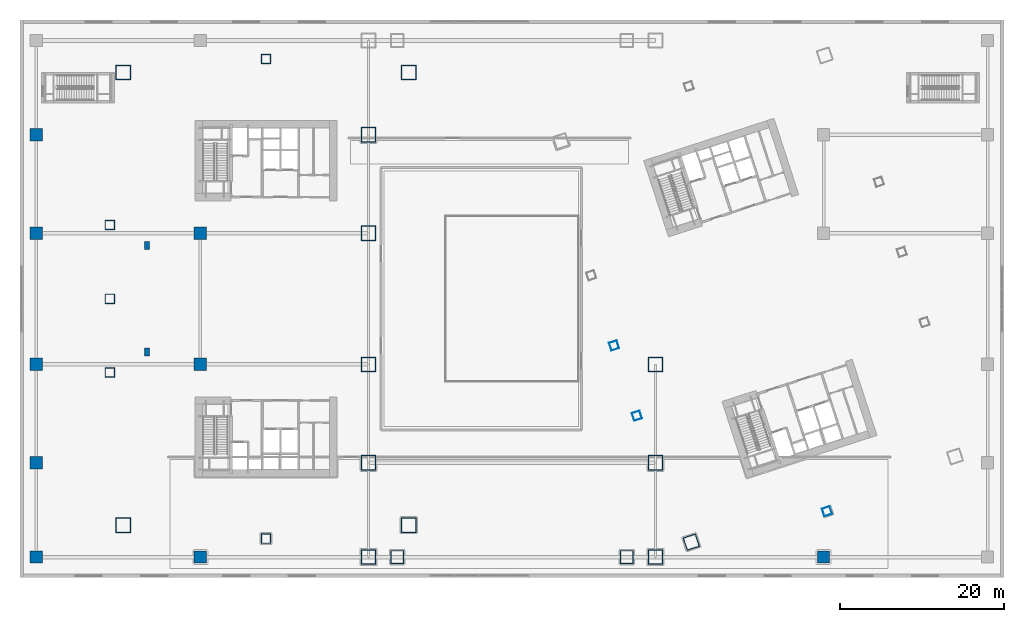
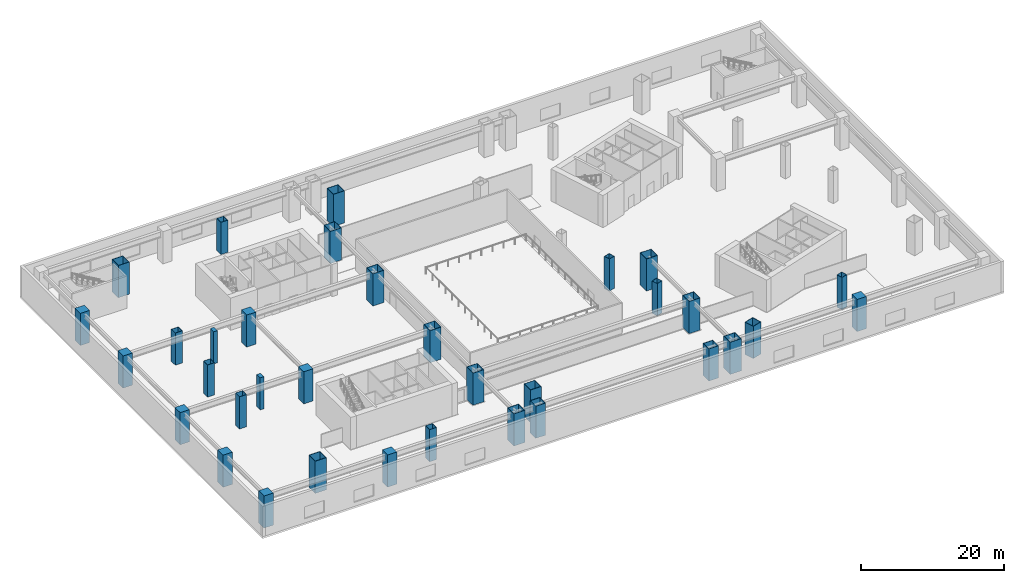
# One storey, part 1 of 35: 34 columns.
"""IFC4 building model written with IfcOpenShell, lengths in metres."""

from ifc_helpers import new_model, si_unit, direction, frame, origin, origin_2d, place, context, subcontext, project, spatial, rectangle, hollow_rectangle, extrude, material, material_profile, profile_set, type_object, element, save


model = new_model("IFC4")

# Units and contexts
model_context = context("Model", 3, precision=1e-05, world=origin(), true_north=direction((0.0, 1.0)))
body_context = subcontext(model_context, "Body", "Model", "MODEL_VIEW")
ifc_project = project(units=[si_unit("LENGTHUNIT", "METRE"), si_unit("AREAUNIT", "SQUARE_METRE"), si_unit("VOLUMEUNIT", "CUBIC_METRE"), si_unit("PLANEANGLEUNIT", "RADIAN"), si_unit("MASSUNIT", "GRAM", prefix="KILO")], contexts=[model_context])

# Site, building, storey
site_placement = place(None, origin())
site = spatial("IfcSite", under=ifc_project, at=site_placement, CompositionType="ELEMENT")
building_placement = place(site_placement, origin())
building = spatial("IfcBuilding", under=site, at=building_placement, Name="Qiaolan Cultural Towers", CompositionType="ELEMENT")
storey_placement = place(building_placement, frame((0.0, 0.0, 6.0)))
storey = spatial("IfcBuildingStorey", under=building, at=storey_placement, Name="L01", CompositionType="ELEMENT", Elevation=6.0)

# Columns
ifc_material_1 = material(Name="Steel Q355B", Category="steel")
ifc_material_profile_1 = material_profile(ifc_material_1, hollow_rectangle(XDim=1.0, YDim=1.0, WallThickness=0.035888671875, at=origin_2d()), Name="BOX1000x1000x36")
ifc_profile_set_1 = profile_set([ifc_material_profile_1], Name="Steel Q355B")
column_type_1 = type_object("IfcColumnType", Name="COL-BOX1000x1000x36", PredefinedType="COLUMN", material=ifc_profile_set_1)
for number, where, z_axis, x_axis, name in (
    (1, (75.234130859375, 19.739013671875, 0.0), (0.0, 0.0, 1.0), (0.951056516295, 0.309016994375, 0.0), "L01 T2 Column PC-W1"),
    (2, (72.453125, 28.298583984375, 0.0), (0.0, 0.0, 1.0), (0.951056516295, 0.309016994375, 0.0), "L01 T2 Column PC-W2"),
    (3, (98.420654296875, 8.083740234375, 0.0), (0.0, 0.0, 1.0), (0.951056516295, 0.309016994375, 0.0), "L01 T2 Column PC-S0"),
):
    element("IfcColumn", number, at=place(storey_placement, frame(where, z_axis=z_axis, x_axis=x_axis)), inside=storey, type_object=column_type_1, Name=name, PredefinedType="COLUMN", context=body_context, shape_type="SweptSolid", body=[
        extrude(hollow_rectangle(XDim=1.0, YDim=1.0, WallThickness=0.035888671875, at=origin_2d()), origin(), (0.0, 0.0, 1.0), 5.5009765625),
    ])
ifc_material_2 = material(Name="Steel Q390GJB", Category="steel")
ifc_material_profile_2 = material_profile(ifc_material_2, hollow_rectangle(XDim=1.14990234375, YDim=1.14990234375, WallThickness=0.0400390625, at=origin_2d()), Name="BOX1150x1150x40")
ifc_profile_set_2 = profile_set([ifc_material_profile_2], Name="Steel Q390GJB")
column_type_2 = type_object("IfcColumnType", Name="COL-BOX1150x1150x40", PredefinedType="COLUMN", material=ifc_profile_set_2)
for number, where, z_axis, x_axis, name in (
    (4, (10.949951171875, 25.0, 0.0), (0.0, 0.0, 1.0), (1.0, 0.0, 0.0), "L01 T1 Column PC-W1"),
    (5, (10.949951171875, 34.0, 0.0), (0.0, 0.0, 1.0), (1.0, 0.0, 0.0), "L01 T1 Column PC-W2"),
    (6, (10.949951171875, 43.0, 0.0), (0.0, 0.0, 1.0), (1.0, 0.0, 0.0), "L01 T1 Column PC-W3"),
    (7, (30.0, 4.75, 0.0), (0.0, 0.0, 1.0), (1.0, 0.0, 0.0), "L01 T1 Column PC-S0"),
    (8, (30.0, 63.25, 0.0), (0.0, 0.0, 1.0), (1.0, 0.0, 0.0), "L01 T1 Column PC-N0"),
):
    element("IfcColumn", number, at=place(storey_placement, frame(where, z_axis=z_axis, x_axis=x_axis)), inside=storey, type_object=column_type_2, Name=name, PredefinedType="COLUMN", context=body_context, shape_type="SweptSolid", body=[
        extrude(hollow_rectangle(XDim=1.14990234375, YDim=1.14990234375, WallThickness=0.0400390625, at=origin_2d()), origin(), (0.0, 0.0, 1.0), 5.5009765625),
    ])
ifc_material_3 = material(Name="Steel Q420GJB", Category="steel")
ifc_material_profile_3 = material_profile(ifc_material_3, hollow_rectangle(XDim=1.60009765625, YDim=1.60009765625, WallThickness=0.054931640625, at=origin_2d()), Name="BOX1600x1600x55")
ifc_profile_set_3 = profile_set([ifc_material_profile_3], Name="Steel Q420GJB")
column_type_3 = type_object("IfcColumnType", Name="COL-BOX1600x1600x55", PredefinedType="COLUMN", material=ifc_profile_set_3)
for number, where, z_axis, x_axis, name in (
    (9, (46.0, 2.5, 0.0), (0.0, 0.0, 1.0), (1.0, 0.0, 0.0), "L01 Podium Column PC-MID-46-2"),
    (10, (74.0, 2.5, 0.0), (0.0, 0.0, 1.0), (1.0, 0.0, 0.0), "L01 Podium Column PC-MID-74-2"),
    (11, (81.862548828125, 4.32275390625, 0.0), (0.0, 0.0, 1.0), (0.951056516295, 0.309016994375, 0.0), "L01 T2 Column MC-SW"),
):
    element("IfcColumn", number, at=place(storey_placement, frame(where, z_axis=z_axis, x_axis=x_axis)), inside=storey, type_object=column_type_3, Name=name, PredefinedType="COLUMN", context=body_context, shape_type="SweptSolid", body=[
        extrude(hollow_rectangle(XDim=1.60009765625, YDim=1.60009765625, WallThickness=0.054931640625, at=origin_2d()), origin(), (0.0, 0.0, 1.0), 5.5009765625),
    ])
ifc_material_4 = material(Name="Steel Q420GJB", Category="steel")
ifc_material_profile_4 = material_profile(ifc_material_4, hollow_rectangle(XDim=1.800048828125, YDim=1.800048828125, WallThickness=0.06005859375, at=origin_2d()), Name="BOX1800x1800x60")
ifc_profile_set_4 = profile_set([ifc_material_profile_4], Name="Steel Q420GJB")
column_type_4 = type_object("IfcColumnType", Name="COL-BOX1800x1800x60", PredefinedType="COLUMN", material=ifc_profile_set_4)
for number, where, z_axis, x_axis, name in (
    (12, (42.5, 2.5, 0.0), (0.0, 0.0, 1.0), (1.0, 0.0, 0.0), "L01 Podium Column PC-42-2"),
    (13, (42.5, 14.0, 0.0), (0.0, 0.0, 1.0), (1.0, 0.0, 0.0), "L01 Podium Column PC-42-14"),
    (14, (42.5, 26.0, 0.0), (0.0, 0.0, 1.0), (1.0, 0.0, 0.0), "L01 Podium Column PC-42-26"),
    (15, (42.5, 42.0, 0.0), (0.0, 0.0, 1.0), (1.0, 0.0, 0.0), "L01 Podium Column PC-42-42"),
    (16, (42.5, 54.0, 0.0), (0.0, 0.0, 1.0), (1.0, 0.0, 0.0), "L01 Podium Column PC-42-54"),
    (17, (77.5, 2.5, 0.0), (0.0, 0.0, 1.0), (1.0, 0.0, 0.0), "L01 Podium Column PC-77-2"),
    (18, (77.5, 14.0, 0.0), (0.0, 0.0, 1.0), (1.0, 0.0, 0.0), "L01 Podium Column PC-77-14"),
    (19, (77.5, 26.0, 0.0), (0.0, 0.0, 1.0), (1.0, 0.0, 0.0), "L01 Podium Column PC-77-26"),
    (20, (12.60009765625, 6.39990234375, 0.0), (0.0, 0.0, 1.0), (1.0, 0.0, 0.0), "L01 T1 Column MC-SW"),
    (21, (47.39990234375, 6.39990234375, 0.0), (0.0, 0.0, 1.0), (1.0, 0.0, 0.0), "L01 T1 Column MC-SE"),
    (22, (47.39990234375, 61.60009765625, 0.0), (0.0, 0.0, 1.0), (1.0, 0.0, 0.0), "L01 T1 Column MC-NE"),
    (23, (12.60009765625, 61.60009765625, 0.0), (0.0, 0.0, 1.0), (1.0, 0.0, 0.0), "L01 T1 Column MC-NW"),
):
    element("IfcColumn", number, at=place(storey_placement, frame(where, z_axis=z_axis, x_axis=x_axis)), inside=storey, type_object=column_type_4, Name=name, PredefinedType="COLUMN", context=body_context, shape_type="SweptSolid", body=[
        extrude(hollow_rectangle(XDim=1.800048828125, YDim=1.800048828125, WallThickness=0.06005859375, at=origin_2d()), origin(), (0.0, 0.0, 1.0), 5.5009765625),
    ])
ifc_material_5 = material(Name="Concrete C60", Category="concrete")
ifc_material_profile_5 = material_profile(ifc_material_5, rectangle(XDim=1.5, YDim=1.5, at=origin_2d()), Name="RC1500x1500")
ifc_profile_set_5 = profile_set([ifc_material_profile_5], Name="Concrete C60")
column_type_5 = type_object("IfcColumnType", Name="COL-RC1500x1500", PredefinedType="COLUMN", material=ifc_profile_set_5)
for number, where, z_axis, x_axis, name in (
    (24, (2.0, 2.5, 0.0), (0.0, 0.0, 1.0), (1.0, 0.0, 0.0), "L01 Podium Column PC-2-2"),
    (25, (2.0, 14.0, 0.0), (0.0, 0.0, 1.0), (1.0, 0.0, 0.0), "L01 Podium Column PC-2-14"),
    (26, (2.0, 26.0, 0.0), (0.0, 0.0, 1.0), (1.0, 0.0, 0.0), "L01 Podium Column PC-2-26"),
    (27, (2.0, 42.0, 0.0), (0.0, 0.0, 1.0), (1.0, 0.0, 0.0), "L01 Podium Column PC-2-42"),
    (28, (2.0, 54.0, 0.0), (0.0, 0.0, 1.0), (1.0, 0.0, 0.0), "L01 Podium Column PC-2-54"),
    (29, (22.0, 2.5, 0.0), (0.0, 0.0, 1.0), (1.0, 0.0, 0.0), "L01 Podium Column PC-22-2"),
    (30, (22.0, 26.0, 0.0), (0.0, 0.0, 1.0), (1.0, 0.0, 0.0), "L01 Podium Column PC-22-26"),
    (31, (22.0, 42.0, 0.0), (0.0, 0.0, 1.0), (1.0, 0.0, 0.0), "L01 Podium Column PC-22-42"),
    (32, (98.0, 2.5, 0.0), (0.0, 0.0, 1.0), (1.0, 0.0, 0.0), "L01 Podium Column PC-98-2"),
):
    element("IfcColumn", number, at=place(storey_placement, frame(where, z_axis=z_axis, x_axis=x_axis)), inside=storey, type_object=column_type_5, Name=name, PredefinedType="COLUMN", context=body_context, shape_type="SweptSolid", body=[
        extrude(rectangle(XDim=1.5, YDim=1.5, at=origin_2d()), origin(), (0.0, 0.0, 1.0), 5.5009765625),
    ])
ifc_material_6 = material(Name="Concrete C50", Category="concrete")
ifc_material_profile_6 = material_profile(ifc_material_6, rectangle(XDim=0.60009765625, YDim=0.949951171875, at=origin_2d()), Name="RC600x950")
ifc_profile_set_6 = profile_set([ifc_material_profile_6], Name="Concrete C50")
column_type_6 = type_object("IfcColumnType", Name="COL-RC600x950", PredefinedType="PILASTER", material=ifc_profile_set_6)
for number, where, z_axis, x_axis, name in (
    (33, (15.5, 27.5, 0.0), (0.0, 0.0, 1.0), (1.0, 0.0, 0.0), "L01 Museum Gallery Structural Pilaster 1"),
    (34, (15.5, 40.5, 0.0), (0.0, 0.0, 1.0), (1.0, 0.0, 0.0), "L01 Museum Gallery Structural Pilaster 2"),
):
    element("IfcColumn", number, at=place(storey_placement, frame(where, z_axis=z_axis, x_axis=x_axis)), inside=storey, type_object=column_type_6, Name=name, PredefinedType="PILASTER", context=body_context, shape_type="SweptSolid", body=[
        extrude(rectangle(XDim=0.60009765625, YDim=0.949951171875, at=origin_2d()), origin(), (0.0, 0.0, 1.0), 5.5009765625),
    ])

save(model, "model.ifc")
